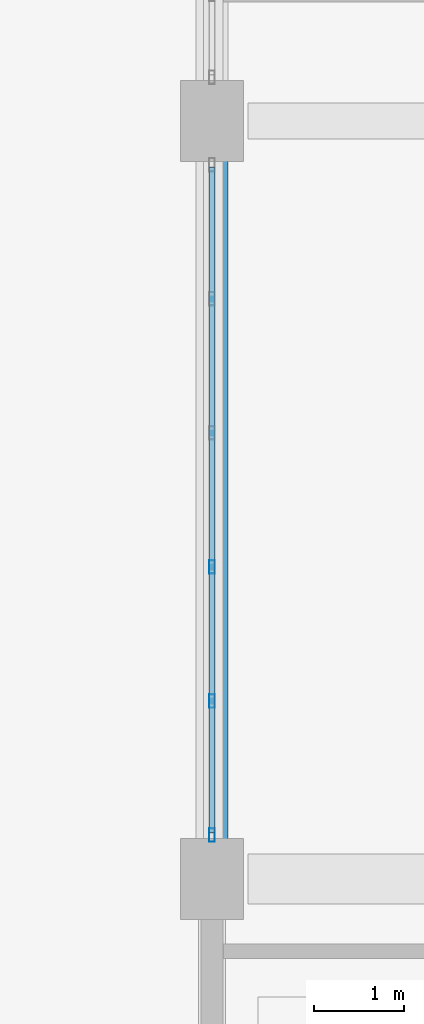
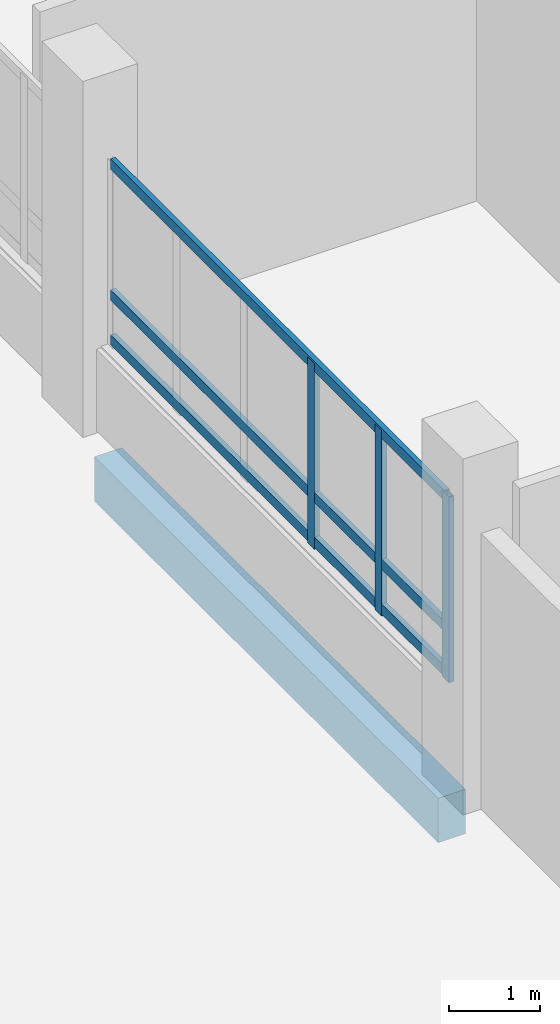
# One storey, part 24 of 95: 6 members, 1 beam, 1 element without a shape of its own.
"""IFC4 building model written with IfcOpenShell, lengths in metres."""

from ifc_helpers import new_model, si_unit, direction, frame, origin, origin_2d, place, context, subcontext, project, spatial, rectangle, hollow_rectangle, extrude, material, layer, layer_set, material_profile, profile_set, type_object, element, aggregate, save


model = new_model("IFC4")

# Units and contexts
model_context = context("Model", 3, precision=1e-05, world=origin(), true_north=direction((0.0, 1.0)))
body_context = subcontext(model_context, "Body", "Model", "MODEL_VIEW")
ifc_project = project(units=[si_unit("LENGTHUNIT", "METRE"), si_unit("AREAUNIT", "SQUARE_METRE"), si_unit("VOLUMEUNIT", "CUBIC_METRE"), si_unit("PLANEANGLEUNIT", "RADIAN"), si_unit("MASSUNIT", "GRAM", prefix="KILO")], contexts=[model_context])

# Site, building, storey
site_placement = place(None, origin())
site = spatial("IfcSite", under=ifc_project, at=site_placement, CompositionType="ELEMENT")
building_placement = place(site_placement, origin())
building = spatial("IfcBuilding", under=site, at=building_placement, Name="Vireocrest Preparatory School", CompositionType="ELEMENT")
storey_placement = place(building_placement, origin())
storey = spatial("IfcBuildingStorey", under=building, at=storey_placement, Name="L00", CompositionType="ELEMENT", Elevation=0.0)

# Curtain wall, members
ifc_material_1 = material(Name="Thermally broken aluminium EN AW-6063-T6", Category="aluminium")
ifc_layer = layer(ifc_material_1, 0.179931640625)
ifc_layer_set = layer_set([ifc_layer], Name="Thermally broken aluminium EN AW-6063-T6")
curtain_wall_type = type_object("IfcCurtainWallType", Name="Court Banded Curtain Wall 8400x3600", PredefinedType="USERDEFINED", material=ifc_layer_set)
curtain_wall_placement = place(storey_placement, origin())
curtain_wall = element("IfcCurtainWall", 1, at=curtain_wall_placement, inside=storey, type_object=curtain_wall_type, Name="Curtain Wall CW01 CW_L00_CW01_0924_0274_012", ObjectType="CURTAIN WALL", PredefinedType="USERDEFINED")
ifc_material_profile_1 = material_profile(ifc_material_1, hollow_rectangle(XDim=0.06494140625, YDim=0.14990234375, WallThickness=0.00390625, at=origin_2d()), Name="ALU 65x150x4")
ifc_profile_set_1 = profile_set([ifc_material_profile_1], Name="Thermally broken aluminium EN AW-6063-T6")
member_type_1 = type_object("IfcMemberType", Name="CW Mullion 65x150x4", PredefinedType="MULLION", material=ifc_profile_set_1)
member_1_placement = place(storey_placement, frame((92.39990234375, 27.485107421875, 1.14990234375), z_axis=(0.0, 0.0, 1.0), x_axis=(1.0, 0.0, 0.0)))
member_1 = element("IfcMember", 2, at=member_1_placement, type_object=member_type_1, Name="CW Mullion ML1 CW_L00_CW01_0924_0274_012-1", PredefinedType="MULLION", context=body_context, shape_type="SweptSolid", body=[
    extrude(hollow_rectangle(XDim=0.06494140625, YDim=0.14990234375, WallThickness=0.00390625, at=origin_2d()), origin(), (0.0, 0.0, 1.0), 2.505126953125),
])
member_2_placement = place(storey_placement, frame((92.39990234375, 28.970947265625, 1.14990234375), z_axis=(0.0, 0.0, 1.0), x_axis=(1.0, 0.0, 0.0)))
member_2 = element("IfcMember", 3, at=member_2_placement, type_object=member_type_1, Name="CW Mullion ML1 CW_L00_CW01_0924_0274_012-2", PredefinedType="MULLION", context=body_context, shape_type="SweptSolid", body=[
    extrude(hollow_rectangle(XDim=0.06494140625, YDim=0.14990234375, WallThickness=0.00390625, at=origin_2d()), origin(), (0.0, 0.0, 1.0), 2.505126953125),
])
member_3_placement = place(storey_placement, frame((92.39990234375, 30.45703125, 1.14990234375), z_axis=(0.0, 0.0, 1.0), x_axis=(1.0, 0.0, 0.0)))
member_3 = element("IfcMember", 4, at=member_3_placement, type_object=member_type_1, Name="CW Mullion ML1 CW_L00_CW01_0924_0274_012-3", PredefinedType="MULLION", context=body_context, shape_type="SweptSolid", body=[
    extrude(hollow_rectangle(XDim=0.06494140625, YDim=0.14990234375, WallThickness=0.00390625, at=origin_2d()), origin(), (0.0, 0.0, 1.0), 2.505126953125),
])
ifc_material_profile_2 = material_profile(ifc_material_1, hollow_rectangle(XDim=0.06494140625, YDim=0.139892578125, WallThickness=0.00390625, at=origin_2d()), Name="ALU 65x140x4")
ifc_profile_set_2 = profile_set([ifc_material_profile_2], Name="Thermally broken aluminium EN AW-6063-T6")
member_type_2 = type_object("IfcMemberType", Name="CW Transom 65x140x4", PredefinedType="USERDEFINED", material=ifc_profile_set_2)
member_4_placement = place(storey_placement, frame((92.39990234375, 27.510009765625, 1.2451171875), z_axis=(0.0, 1.0, 0.0), x_axis=(-1.0, 0.0, 0.0)))
member_4 = element("IfcMember", 5, at=member_4_placement, type_object=member_type_2, Name="CW Transom TR1 CW_L00_CW01_0924_0274_012-1", ObjectType="TRANSOM", PredefinedType="USERDEFINED", context=body_context, shape_type="SweptSolid", body=[
    extrude(hollow_rectangle(XDim=0.06494140625, YDim=0.139892578125, WallThickness=0.00390625, at=origin_2d()), origin(), (0.0, 0.0, 1.0), 7.3798828125),
])
member_5_placement = place(storey_placement, frame((92.39990234375, 27.510009765625, 1.85009765625), z_axis=(0.0, 1.0, 0.0), x_axis=(-1.0, 0.0, 0.0)))
member_5 = element("IfcMember", 6, at=member_5_placement, type_object=member_type_2, Name="CW Transom TR1 CW_L00_CW01_0924_0274_012-2", ObjectType="TRANSOM", PredefinedType="USERDEFINED", context=body_context, shape_type="SweptSolid", body=[
    extrude(hollow_rectangle(XDim=0.06494140625, YDim=0.139892578125, WallThickness=0.00390625, at=origin_2d()), origin(), (0.0, 0.0, 1.0), 7.3798828125),
])
member_6_placement = place(storey_placement, frame((92.39990234375, 27.510009765625, 3.614990234375), z_axis=(0.0, 1.0, 0.0), x_axis=(-1.0, 0.0, 0.0)))
member_6 = element("IfcMember", 7, at=member_6_placement, type_object=member_type_2, Name="CW Transom TR1 CW_L00_CW01_0924_0274_012-3", ObjectType="TRANSOM", PredefinedType="USERDEFINED", context=body_context, shape_type="SweptSolid", body=[
    extrude(hollow_rectangle(XDim=0.06494140625, YDim=0.139892578125, WallThickness=0.00390625, at=origin_2d()), origin(), (0.0, 0.0, 1.0), 7.3798828125),
])
aggregate(curtain_wall, [member_1, member_2, member_3, member_4, member_5, member_6])

# Beam
ifc_material_2 = material(Name="Concrete 40 MPa", Category="concrete")
ifc_material_profile_3 = material_profile(ifc_material_2, rectangle(XDim=0.35009765625, YDim=0.60009765625, at=origin_2d()), Name="RC 350x600")
ifc_profile_set_3 = profile_set([ifc_material_profile_3], Name="Concrete 40 MPa")
beam_type = type_object("IfcBeamType", Name="RC Classroom Girder 350x600", PredefinedType="BEAM", material=ifc_profile_set_3)
beam_placement = place(storey_placement, frame((92.39990234375, 27.39990234375, -0.64990234375), z_axis=(0.0, 1.0, 0.0), x_axis=(-1.0, 0.0, 0.0)))
element("IfcBeam", 8, at=beam_placement, inside=storey, type_object=beam_type, Name="Primary Girder B04 L00-0195", PredefinedType="BEAM", context=body_context, shape_type="SweptSolid", body=[
    extrude(rectangle(XDim=0.35009765625, YDim=0.60009765625, at=origin_2d()), origin(), (0.0, 0.0, 1.0), 7.60009765625),
])

save(model, "model.ifc")
